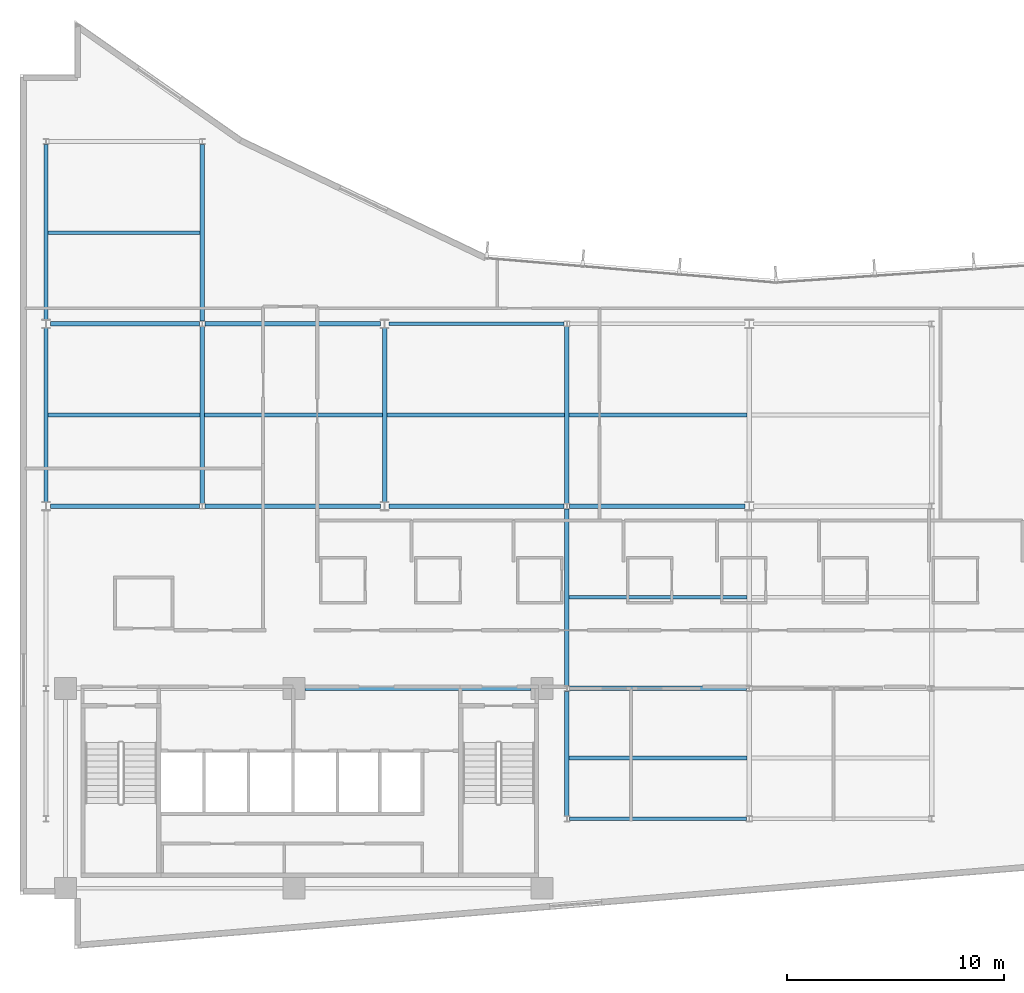
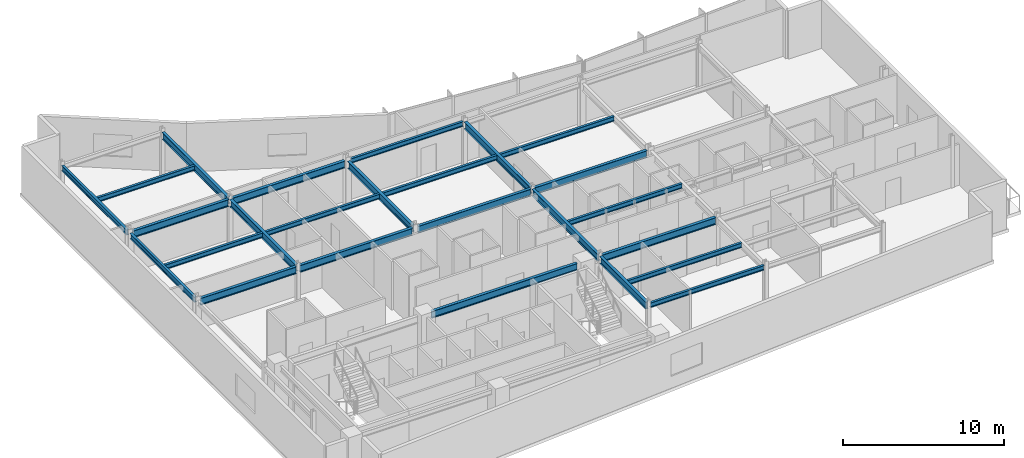
# One storey, part 4 of 15: 25 beams.
"""IFC4 building model written with IfcOpenShell, lengths in metres."""

from ifc_helpers import new_model, si_unit, direction, frame, origin, origin_2d, place, context, subcontext, project, spatial, i_section, extrude, material, material_profile, profile_set, type_object, element, save


model = new_model("IFC4")

# Units and contexts
model_context = context("Model", 3, precision=1e-05, world=origin(), true_north=direction((0.0, 1.0)))
body_context = subcontext(model_context, "Body", "Model", "MODEL_VIEW")
ifc_project = project(units=[si_unit("LENGTHUNIT", "METRE"), si_unit("AREAUNIT", "SQUARE_METRE"), si_unit("VOLUMEUNIT", "CUBIC_METRE"), si_unit("PLANEANGLEUNIT", "RADIAN"), si_unit("MASSUNIT", "GRAM", prefix="KILO")], contexts=[model_context])

# Site, building, storey
site_placement = place(None, origin())
site = spatial("IfcSite", under=ifc_project, at=site_placement, CompositionType="ELEMENT")
building_placement = place(site_placement, origin())
building = spatial("IfcBuilding", under=site, at=building_placement, Name="Varnakote Quay Hospital", CompositionType="ELEMENT")
storey_placement = place(building_placement, frame((0.0, 0.0, 231.60009765625)))
storey = spatial("IfcBuildingStorey", under=building, at=storey_placement, Name="L57", CompositionType="ELEMENT", Elevation=231.60009765625)

# Beams
ifc_material_1 = material(Name="Structural steel AS/NZS 3679.1 Grade 350 L0 (fy 340 MPa)", Category="steel")
ifc_material_profile_1 = material_profile(ifc_material_1, i_section(OverallWidth=0.208984375, OverallDepth=0.528076171875, WebThickness=0.009521484375, FlangeThickness=0.01318359375, FilletRadius=0.013916015625, at=origin_2d()), Name="530UB82.0")
ifc_profile_set_1 = profile_set([ifc_material_profile_1], Name="Structural steel AS/NZS 3679.1 Grade 350 L0 (fy 340 MPa)")
beam_type_1 = type_object("IfcBeamType", Name="BM-STL-530UB82-0", PredefinedType="BEAM", material=ifc_profile_set_1)
beam_1_placement = place(storey_placement, frame((8.39990234375, 20.530029296875, 3.406005859375), z_axis=(0.0, 1.0, 0.0), x_axis=(-1.0, 0.0, 0.0)))
element("IfcBeam", 1, at=beam_1_placement, inside=storey, type_object=beam_type_1, Name="L57 Primary Tie Beam", PredefinedType="BEAM", context=body_context, shape_type="SweptSolid", body=[
    extrude(i_section(OverallWidth=0.208984375, OverallDepth=0.528076171875, WebThickness=0.009521484375, FlangeThickness=0.01318359375, FilletRadius=0.013916015625, at=origin_2d()), origin(), (0.0, 0.0, 1.0), 8.139892578125),
])
beam_2_placement = place(storey_placement, frame((8.39990234375, 28.929931640625, 3.406005859375), z_axis=(0.0, 1.0, 0.0), x_axis=(-1.0, 0.0, 0.0)))
element("IfcBeam", 2, at=beam_2_placement, inside=storey, type_object=beam_type_1, Name="L57 Primary Tie Beam", PredefinedType="BEAM", context=body_context, shape_type="SweptSolid", body=[
    extrude(i_section(OverallWidth=0.208984375, OverallDepth=0.528076171875, WebThickness=0.009521484375, FlangeThickness=0.01318359375, FilletRadius=0.013916015625, at=origin_2d()), origin(), (0.0, 0.0, 1.0), 8.14013671875),
])
beam_3_placement = place(storey_placement, frame((16.800048828125, 20.60205078125, 3.406005859375), z_axis=(0.0, 1.0, 0.0), x_axis=(-1.0, 0.0, 0.0)))
element("IfcBeam", 3, at=beam_3_placement, inside=storey, type_object=beam_type_1, Name="L57 Primary Tie Beam", PredefinedType="BEAM", context=body_context, shape_type="SweptSolid", body=[
    extrude(i_section(OverallWidth=0.208984375, OverallDepth=0.528076171875, WebThickness=0.009521484375, FlangeThickness=0.01318359375, FilletRadius=0.013916015625, at=origin_2d()), origin(), (0.0, 0.0, 1.0), 7.995849609375),
])
beam_4_placement = place(storey_placement, frame((25.199951171875, 6.1298828125, 3.406005859375), z_axis=(0.0, 1.0, 0.0), x_axis=(-1.0, 0.0, 0.0)))
element("IfcBeam", 4, at=beam_4_placement, inside=storey, type_object=beam_type_1, Name="L57 Primary Tie Beam", PredefinedType="BEAM", context=body_context, shape_type="SweptSolid", body=[
    extrude(i_section(OverallWidth=0.208984375, OverallDepth=0.528076171875, WebThickness=0.009521484375, FlangeThickness=0.01318359375, FilletRadius=0.013916015625, at=origin_2d()), origin(), (0.0, 0.0, 1.0), 5.740234375),
])
beam_5_placement = place(storey_placement, frame((25.199951171875, 12.1298828125, 3.406005859375), z_axis=(0.0, 1.0, 0.0), x_axis=(-1.0, 0.0, 0.0)))
element("IfcBeam", 5, at=beam_5_placement, inside=storey, type_object=beam_type_1, Name="L57 Primary Tie Beam", PredefinedType="BEAM", context=body_context, shape_type="SweptSolid", body=[
    extrude(i_section(OverallWidth=0.208984375, OverallDepth=0.528076171875, WebThickness=0.009521484375, FlangeThickness=0.01318359375, FilletRadius=0.013916015625, at=origin_2d()), origin(), (0.0, 0.0, 1.0), 8.14013671875),
])
beam_6_placement = place(storey_placement, frame((25.199951171875, 20.530029296875, 3.406005859375), z_axis=(0.0, 1.0, 0.0), x_axis=(-1.0, 0.0, 0.0)))
element("IfcBeam", 6, at=beam_6_placement, inside=storey, type_object=beam_type_1, Name="L57 Primary Tie Beam", PredefinedType="BEAM", context=body_context, shape_type="SweptSolid", body=[
    extrude(i_section(OverallWidth=0.208984375, OverallDepth=0.528076171875, WebThickness=0.009521484375, FlangeThickness=0.01318359375, FilletRadius=0.013916015625, at=origin_2d()), origin(), (0.0, 0.0, 1.0), 8.139892578125),
])
ifc_material_2 = material(Name="Structural steel AS/NZS 3679.1 Grade 350 L0 (fy 340 MPa)", Category="steel")
ifc_material_profile_2 = material_profile(ifc_material_2, i_section(OverallWidth=0.208984375, OverallDepth=0.532958984375, WebThickness=0.01025390625, FlangeThickness=0.015625, FilletRadius=0.013916015625, at=origin_2d()), Name="530UB92.4")
ifc_profile_set_2 = profile_set([ifc_material_profile_2], Name="Structural steel AS/NZS 3679.1 Grade 350 L0 (fy 340 MPa)")
beam_type_2 = type_object("IfcBeamType", Name="BM-STL-530UB92-4", PredefinedType="BEAM", material=ifc_profile_set_2)
beam_7_placement = place(storey_placement, frame((13.1201171875, 12.0, 3.4033203125), z_axis=(1.0, 0.0, 0.0), x_axis=(0.0, 1.0, 0.0)))
element("IfcBeam", 7, at=beam_7_placement, inside=storey, type_object=beam_type_2, Name="L57 Primary Floor Beam", PredefinedType="BEAM", context=body_context, shape_type="SweptSolid", body=[
    extrude(i_section(OverallWidth=0.208984375, OverallDepth=0.532958984375, WebThickness=0.01025390625, FlangeThickness=0.015625, FilletRadius=0.013916015625, at=origin_2d()), origin(), (0.0, 0.0, 1.0), 10.429931640625),
])
beam_8_placement = place(storey_placement, frame((25.327880859375, 12.0, 3.4033203125), z_axis=(1.0, 0.0, 0.0), x_axis=(0.0, 1.0, 0.0)))
element("IfcBeam", 8, at=beam_8_placement, inside=storey, type_object=beam_type_2, Name="L57 Primary Floor Beam", PredefinedType="BEAM", context=body_context, shape_type="SweptSolid", body=[
    extrude(i_section(OverallWidth=0.208984375, OverallDepth=0.532958984375, WebThickness=0.01025390625, FlangeThickness=0.015625, FilletRadius=0.013916015625, at=origin_2d()), origin(), (0.0, 0.0, 1.0), 8.14404296875),
])
beam_9_placement = place(storey_placement, frame((1.39990234375, 20.39990234375, 3.4033203125), z_axis=(1.0, 0.0, 0.0), x_axis=(0.0, 1.0, 0.0)))
element("IfcBeam", 9, at=beam_9_placement, inside=storey, type_object=beam_type_2, Name="L57 Primary Floor Beam", PredefinedType="BEAM", context=body_context, shape_type="SweptSolid", body=[
    extrude(i_section(OverallWidth=0.208984375, OverallDepth=0.532958984375, WebThickness=0.01025390625, FlangeThickness=0.015625, FilletRadius=0.013916015625, at=origin_2d()), origin(), (0.0, 0.0, 1.0), 6.8720703125),
])
for number, where, z_axis, x_axis, name in (
    (10, (8.528076171875, 20.39990234375, 3.4033203125), (1.0, 0.0, 0.0), (0.0, 1.0, 0.0), "L57 Primary Floor Beam"),
    (11, (17.0, 20.39990234375, 3.4033203125), (1.0, 0.0, 0.0), (0.0, 1.0, 0.0), "L57 Primary Floor Beam"),
    (12, (25.327880859375, 20.39990234375, 3.4033203125), (1.0, 0.0, 0.0), (0.0, 1.0, 0.0), "L57 Primary Floor Beam"),
):
    element("IfcBeam", number, at=place(storey_placement, frame(where, z_axis=z_axis, x_axis=x_axis)), inside=storey, type_object=beam_type_2, Name=name, PredefinedType="BEAM", context=body_context, shape_type="SweptSolid", body=[
        extrude(i_section(OverallWidth=0.208984375, OverallDepth=0.532958984375, WebThickness=0.01025390625, FlangeThickness=0.015625, FilletRadius=0.013916015625, at=origin_2d()), origin(), (0.0, 0.0, 1.0), 8.072021484375),
    ])
beam_10_placement = place(storey_placement, frame((1.39990234375, 28.800048828125, 3.4033203125), z_axis=(1.0, 0.0, 0.0), x_axis=(0.0, 1.0, 0.0)))
element("IfcBeam", 13, at=beam_10_placement, inside=storey, type_object=beam_type_2, Name="L57 Primary Floor Beam", PredefinedType="BEAM", context=body_context, shape_type="SweptSolid", body=[
    extrude(i_section(OverallWidth=0.208984375, OverallDepth=0.532958984375, WebThickness=0.01025390625, FlangeThickness=0.015625, FilletRadius=0.013916015625, at=origin_2d()), origin(), (0.0, 0.0, 1.0), 6.8720703125),
])
beam_11_placement = place(storey_placement, frame((8.528076171875, 28.800048828125, 3.4033203125), z_axis=(1.0, 0.0, 0.0), x_axis=(0.0, 1.0, 0.0)))
element("IfcBeam", 14, at=beam_11_placement, inside=storey, type_object=beam_type_2, Name="L57 Primary Floor Beam", PredefinedType="BEAM", context=body_context, shape_type="SweptSolid", body=[
    extrude(i_section(OverallWidth=0.208984375, OverallDepth=0.532958984375, WebThickness=0.01025390625, FlangeThickness=0.015625, FilletRadius=0.013916015625, at=origin_2d()), origin(), (0.0, 0.0, 1.0), 8.072021484375),
])
ifc_material_3 = material(Name="Structural steel AS/NZS 3679.1 Grade 350 L0 (fy 340 MPa)", Category="steel")
ifc_material_profile_3 = material_profile(ifc_material_3, i_section(OverallWidth=0.1708984375, OverallDepth=0.35595703125, WebThickness=0.00732421875, FlangeThickness=0.011474609375, FilletRadius=0.011474609375, at=origin_2d()), Name="360UB50.7")
ifc_profile_set_3 = profile_set([ifc_material_profile_3], Name="Structural steel AS/NZS 3679.1 Grade 350 L0 (fy 340 MPa)")
beam_type_3 = type_object("IfcBeamType", Name="JST-STL-360UB50-7", PredefinedType="JOIST", material=ifc_profile_set_3)
for number, where, z_axis, x_axis, name in (
    (15, (25.304443359375, 8.800048828125, 3.491943359375), (1.0, 0.0, 0.0), (0.0, 1.0, 0.0), "L57 Composite Floor Joist"),
    (16, (25.304443359375, 16.199951171875, 3.491943359375), (1.0, 0.0, 0.0), (0.0, 1.0, 0.0), "L57 Composite Floor Joist"),
):
    element("IfcBeam", number, at=place(storey_placement, frame(where, z_axis=z_axis, x_axis=x_axis)), inside=storey, type_object=beam_type_3, Name=name, PredefinedType="JOIST", context=body_context, shape_type="SweptSolid", body=[
        extrude(i_section(OverallWidth=0.1708984375, OverallDepth=0.35595703125, WebThickness=0.00732421875, FlangeThickness=0.011474609375, FilletRadius=0.011474609375, at=origin_2d()), origin(), (0.0, 0.0, 1.0), 8.191162109375),
    ])
beam_12_placement = place(storey_placement, frame((1.2890625, 24.60009765625, 3.491943359375), z_axis=(1.0, 0.0, 0.0), x_axis=(0.0, 1.0, 0.0)))
element("IfcBeam", 17, at=beam_12_placement, inside=storey, type_object=beam_type_3, Name="L57 Composite Floor Joist", PredefinedType="JOIST", context=body_context, shape_type="SweptSolid", body=[
    extrude(i_section(OverallWidth=0.1708984375, OverallDepth=0.35595703125, WebThickness=0.00732421875, FlangeThickness=0.011474609375, FilletRadius=0.011474609375, at=origin_2d()), origin(), (0.0, 0.0, 1.0), 7.00634765625),
])
beam_13_placement = place(storey_placement, frame((8.50439453125, 24.60009765625, 3.491943359375), z_axis=(1.0, 0.0, 0.0), x_axis=(0.0, 1.0, 0.0)))
element("IfcBeam", 18, at=beam_13_placement, inside=storey, type_object=beam_type_3, Name="L57 Composite Floor Joist", PredefinedType="JOIST", context=body_context, shape_type="SweptSolid", body=[
    extrude(i_section(OverallWidth=0.1708984375, OverallDepth=0.35595703125, WebThickness=0.00732421875, FlangeThickness=0.011474609375, FilletRadius=0.011474609375, at=origin_2d()), origin(), (0.0, 0.0, 1.0), 8.191162109375),
])
beam_14_placement = place(storey_placement, frame((16.904541015625, 24.60009765625, 3.491943359375), z_axis=(1.0, 0.0, 0.0), x_axis=(0.0, 1.0, 0.0)))
element("IfcBeam", 19, at=beam_14_placement, inside=storey, type_object=beam_type_3, Name="L57 Composite Floor Joist", PredefinedType="JOIST", context=body_context, shape_type="SweptSolid", body=[
    extrude(i_section(OverallWidth=0.1708984375, OverallDepth=0.35595703125, WebThickness=0.00732421875, FlangeThickness=0.011474609375, FilletRadius=0.011474609375, at=origin_2d()), origin(), (0.0, 0.0, 1.0), 8.19091796875),
])
beam_15_placement = place(storey_placement, frame((25.304443359375, 24.60009765625, 3.491943359375), z_axis=(1.0, 0.0, 0.0), x_axis=(0.0, 1.0, 0.0)))
element("IfcBeam", 20, at=beam_15_placement, inside=storey, type_object=beam_type_3, Name="L57 Composite Floor Joist", PredefinedType="JOIST", context=body_context, shape_type="SweptSolid", body=[
    extrude(i_section(OverallWidth=0.1708984375, OverallDepth=0.35595703125, WebThickness=0.00732421875, FlangeThickness=0.011474609375, FilletRadius=0.011474609375, at=origin_2d()), origin(), (0.0, 0.0, 1.0), 8.191162109375),
])
beam_16_placement = place(storey_placement, frame((1.2890625, 33.0, 3.491943359375), z_axis=(1.0, 0.0, 0.0), x_axis=(0.0, 1.0, 0.0)))
element("IfcBeam", 21, at=beam_16_placement, inside=storey, type_object=beam_type_3, Name="L57 Composite Floor Joist", PredefinedType="JOIST", context=body_context, shape_type="SweptSolid", body=[
    extrude(i_section(OverallWidth=0.1708984375, OverallDepth=0.35595703125, WebThickness=0.00732421875, FlangeThickness=0.011474609375, FilletRadius=0.011474609375, at=origin_2d()), origin(), (0.0, 0.0, 1.0), 7.00634765625),
])
ifc_material_4 = material(Name="Structural steel AS/NZS 3679.1 Grade 350 L0 (fy 340 MPa)", Category="steel")
ifc_material_profile_4 = material_profile(ifc_material_4, i_section(OverallWidth=0.172119140625, OverallDepth=0.35888671875, WebThickness=0.008056640625, FlangeThickness=0.012939453125, FilletRadius=0.011474609375, at=origin_2d()), Name="360UB56.7")
ifc_profile_set_4 = profile_set([ifc_material_profile_4], Name="Structural steel AS/NZS 3679.1 Grade 350 L0 (fy 340 MPa)")
beam_type_4 = type_object("IfcBeamType", Name="SPN-STL-360UB56-7", PredefinedType="SPANDREL", material=ifc_profile_set_4)
beam_17_placement = place(storey_placement, frame((25.327880859375, 6.0, 3.490478515625), z_axis=(1.0, 0.0, 0.0), x_axis=(0.0, 1.0, 0.0)))
element("IfcBeam", 22, at=beam_17_placement, inside=storey, type_object=beam_type_4, Name="L57 Perimeter Spandrel Beam", PredefinedType="SPANDREL", context=body_context, shape_type="SweptSolid", body=[
    extrude(i_section(OverallWidth=0.172119140625, OverallDepth=0.35888671875, WebThickness=0.008056640625, FlangeThickness=0.012939453125, FilletRadius=0.011474609375, at=origin_2d()), origin(), (0.0, 0.0, 1.0), 8.14404296875),
])
beam_18_placement = place(storey_placement, frame((17.0, 28.800048828125, 3.490478515625), z_axis=(1.0, 0.0, 0.0), x_axis=(0.0, 1.0, 0.0)))
element("IfcBeam", 23, at=beam_18_placement, inside=storey, type_object=beam_type_4, Name="L57 Perimeter Spandrel Beam", PredefinedType="SPANDREL", context=body_context, shape_type="SweptSolid", body=[
    extrude(i_section(OverallWidth=0.172119140625, OverallDepth=0.35888671875, WebThickness=0.008056640625, FlangeThickness=0.012939453125, FilletRadius=0.011474609375, at=origin_2d()), origin(), (0.0, 0.0, 1.0), 8.072021484375),
])
ifc_material_5 = material(Name="Structural steel AS/NZS 3679.1 Grade 350 L0 (fy 340 MPa)", Category="steel")
ifc_material_profile_5 = material_profile(ifc_material_5, i_section(OverallWidth=0.177978515625, OverallDepth=0.403076171875, WebThickness=0.007568359375, FlangeThickness=0.010986328125, FilletRadius=0.011474609375, at=origin_2d()), Name="410UB53.7")
ifc_profile_set_5 = profile_set([ifc_material_profile_5], Name="Structural steel AS/NZS 3679.1 Grade 350 L0 (fy 340 MPa)")
beam_type_5 = type_object("IfcBeamType", Name="SPN-STL-410UB53-7", PredefinedType="SPANDREL", material=ifc_profile_set_5)
beam_19_placement = place(storey_placement, frame((1.199951171875, 20.60205078125, 3.468505859375), z_axis=(0.0, 1.0, 0.0), x_axis=(-1.0, 0.0, 0.0)))
element("IfcBeam", 24, at=beam_19_placement, inside=storey, type_object=beam_type_5, Name="L57 Perimeter Spandrel Beam", PredefinedType="SPANDREL", context=body_context, shape_type="SweptSolid", body=[
    extrude(i_section(OverallWidth=0.177978515625, OverallDepth=0.403076171875, WebThickness=0.007568359375, FlangeThickness=0.010986328125, FilletRadius=0.011474609375, at=origin_2d()), origin(), (0.0, 0.0, 1.0), 7.995849609375),
])
beam_20_placement = place(storey_placement, frame((1.199951171875, 29.001953125, 3.468505859375), z_axis=(0.0, 1.0, 0.0), x_axis=(-1.0, 0.0, 0.0)))
element("IfcBeam", 25, at=beam_20_placement, inside=storey, type_object=beam_type_5, Name="L57 Perimeter Spandrel Beam", PredefinedType="SPANDREL", context=body_context, shape_type="SweptSolid", body=[
    extrude(i_section(OverallWidth=0.177978515625, OverallDepth=0.403076171875, WebThickness=0.007568359375, FlangeThickness=0.010986328125, FilletRadius=0.011474609375, at=origin_2d()), origin(), (0.0, 0.0, 1.0), 8.068115234375),
])

save(model, "model.ifc")
